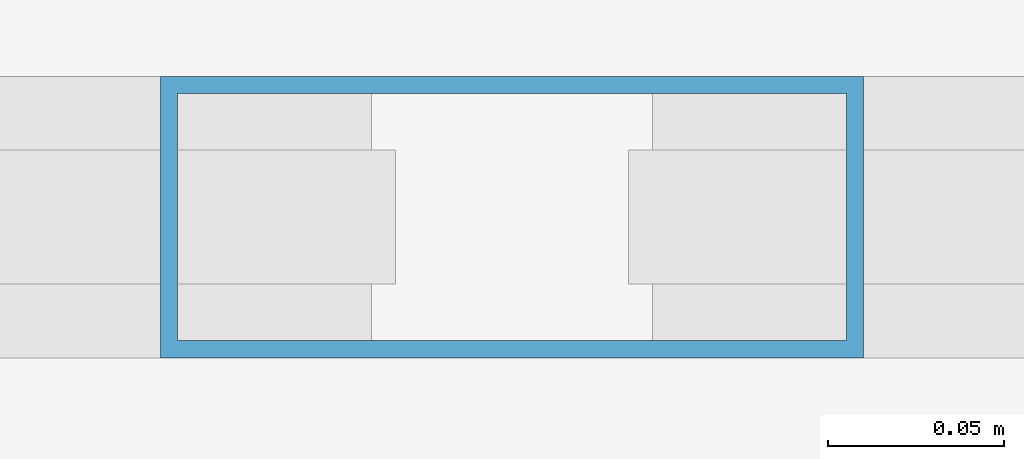
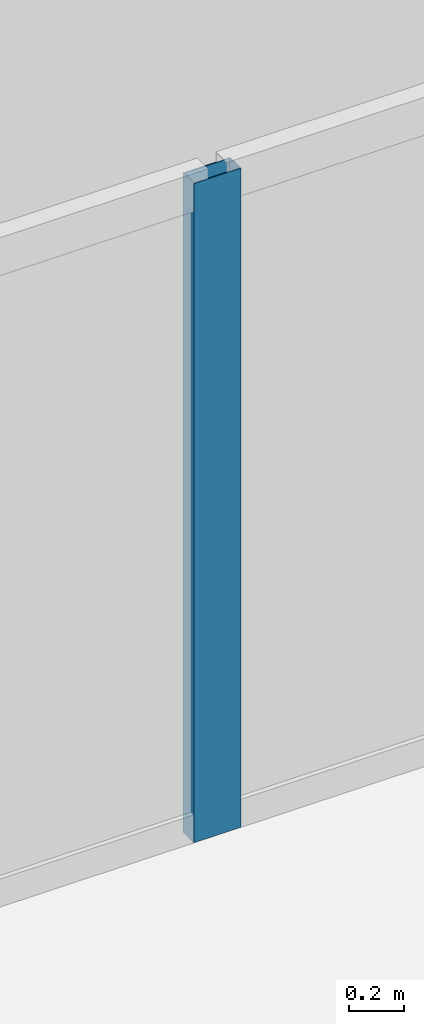
# One storey, part 12 of 21: 1 member, 1 element without a shape of its own.
"""IFC4 building model written with IfcOpenShell, lengths in metres."""

from ifc_helpers import new_model, si_unit, direction, frame, origin, origin_2d, place, context, subcontext, project, spatial, hollow_rectangle, extrude, source, transform, mapped, material, layer, layer_set, material_profile, profile_set, type_object, element, aggregate, save


model = new_model("IFC4")

# Units and contexts
model_context = context("Model", 3, precision=1e-05, world=origin(), true_north=direction((0.0, 1.0)))
body_context = subcontext(model_context, "Body", "Model", "MODEL_VIEW")
ifc_project = project(units=[si_unit("LENGTHUNIT", "METRE"), si_unit("AREAUNIT", "SQUARE_METRE"), si_unit("VOLUMEUNIT", "CUBIC_METRE"), si_unit("PLANEANGLEUNIT", "RADIAN"), si_unit("MASSUNIT", "GRAM", prefix="KILO")], contexts=[model_context])

# Site, building, storey
site_placement = place(None, origin())
site = spatial("IfcSite", under=ifc_project, at=site_placement, CompositionType="ELEMENT")
building_placement = place(site_placement, origin())
building = spatial("IfcBuilding", under=site, at=building_placement, Name="Kolveth Station Tower", CompositionType="ELEMENT")
storey_placement = place(building_placement, frame((0.0, 0.0, 118.300048828125)))
storey = spatial("IfcBuildingStorey", under=building, at=storey_placement, Name="L32", CompositionType="ELEMENT", Elevation=118.300048828125)

# Curtain wall, member
ifc_material_1 = material(Name="Aluminium 6063-T6 and low-E dark glass", Category="aluminium")
ifc_layer = layer(ifc_material_1, 0.18994140625)
ifc_layer_set = layer_set([ifc_layer], Name="Aluminium 6063-T6 and low-E dark glass")
curtain_wall_type = type_object("IfcCurtainWallType", Name="CurtainWall_CW-Z2", PredefinedType="NOTDEFINED", material=ifc_layer_set)
curtain_wall_placement = place(storey_placement, origin())
curtain_wall = element("IfcCurtainWall", 1, at=curtain_wall_placement, inside=storey, type_object=curtain_wall_type, Name="L32 Inner Thermal Curtain Wall 6", PredefinedType="NOTDEFINED")
ifc_material_2 = material(Name="Black anodized aluminium 6063-T6", Category="aluminium")
ifc_material_profile = material_profile(ifc_material_2, hollow_rectangle(XDim=0.080078125, YDim=0.199951171875, WallThickness=0.0048828125, at=origin_2d()), Name="ALU-80x200x5")
ifc_profile_set = profile_set([ifc_material_profile], Name="Black anodized aluminium 6063-T6")
member_type = type_object("IfcMemberType", Name="Mullion_ML2", PredefinedType="MULLION", material=ifc_profile_set)
shared_shape = source(origin(), body_context, "Body", "SweptSolid", [
    extrude(hollow_rectangle(XDim=0.080078125, YDim=0.199951171875, WallThickness=0.0048828125, at=origin_2d()), origin(), (0.0, 0.0, 1.0), 2.949951171875),
])
member_placement = place(storey_placement, frame((23.5, 35.179931640625, 0.0), z_axis=(0.0, 0.0, 1.0), x_axis=(0.0, -1.0, 0.0)))
member = element("IfcMember", 2, at=member_placement, type_object=member_type, Name="CW-Z2 mullion 2", PredefinedType="MULLION", context=body_context, shape_type="MappedRepresentation", body=[
    mapped(shared_shape, transform((0.0, 0.0, 0.0), x_axis=(1.0, 0.0, 0.0), y_axis=(0.0, 1.0, 0.0), z_axis=(0.0, 0.0, 1.0), scale=1.0)),
])
aggregate(curtain_wall, [member])

save(model, "model.ifc")
